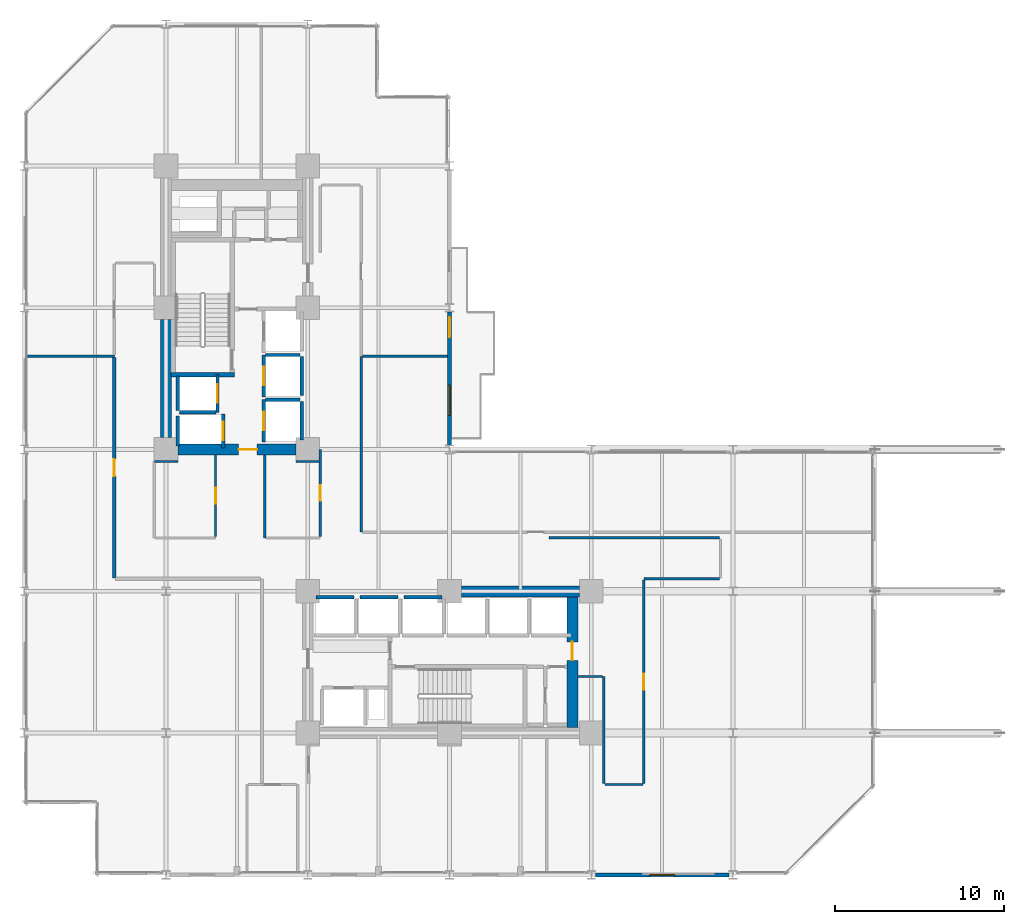
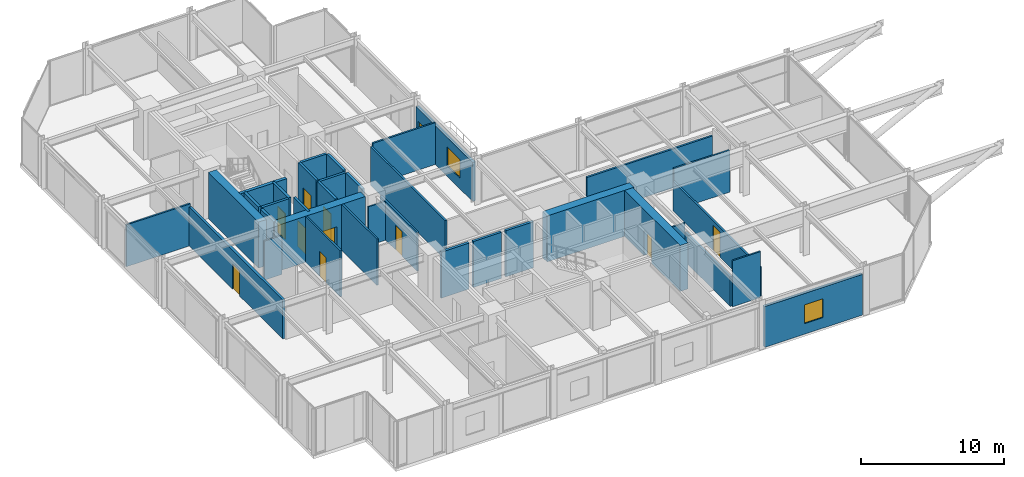
# One storey, part 21 of 25: 36 walls, 11 doors, 2 windows, 13 openings.
"""IFC4 building model written with IfcOpenShell, lengths in metres."""

from ifc_helpers import new_model, si_unit, direction, frame, frame_2d, origin, place, context, subcontext, project, spatial, rectangle, extrude, material, layer, layer_set, type_object, element, fill, save


model = new_model("IFC4")

# Units and contexts
model_context = context("Model", 3, precision=1e-05, world=origin(), true_north=direction((0.0, 1.0)))
body_context = subcontext(model_context, "Body", "Model", "MODEL_VIEW")
ifc_project = project(units=[si_unit("LENGTHUNIT", "METRE"), si_unit("AREAUNIT", "SQUARE_METRE"), si_unit("VOLUMEUNIT", "CUBIC_METRE"), si_unit("PLANEANGLEUNIT", "RADIAN"), si_unit("MASSUNIT", "GRAM", prefix="KILO")], contexts=[model_context])

# Site, building, storey
site_placement = place(None, origin())
site = spatial("IfcSite", under=ifc_project, at=site_placement, CompositionType="ELEMENT")
building_placement = place(site_placement, origin())
building = spatial("IfcBuilding", under=site, at=building_placement, Name="Nerrivon Quay Data Exchange", CompositionType="ELEMENT")
storey_placement = place(building_placement, frame((0.0, 0.0, 58.39990234375)))
storey = spatial("IfcBuildingStorey", under=building, at=storey_placement, Name="L13", CompositionType="ELEMENT", Elevation=58.39990234375)

# Wall, opening, window
ifc_material_1 = material(Name="Architectural terracotta precast concrete N50 (50 MPa)", Category="masonry")
ifc_layer_1 = layer(ifc_material_1, 0.239990234375)
ifc_layer_set_1 = layer_set([ifc_layer_1], Name="Architectural terracotta precast concrete N50 (50 MPa)")
wall_type_1 = type_object("IfcWallType", Name="EW-PREC-240", PredefinedType="STANDARD", material=ifc_layer_set_1)
wall_1_placement = place(storey_placement, frame((41.75, 0.0, 0.0), z_axis=(0.0, 0.0, 1.0), x_axis=(-1.0, 0.0, 0.0)))
wall_1 = element("IfcWall", 1, at=wall_1_placement, inside=storey, type_object=wall_type_1, Name="L13 Podium Precast Spandrel Wall 3", PredefinedType="STANDARD", context=body_context, shape_type="SweptSolid", body=[
    extrude(rectangle(XDim=7.89990234375, YDim=0.239990234375, at=frame_2d((3.949951171875, 0.0))), origin(), (0.0, 0.0, 1.0), 3.47119140625),
])
opening_1_placement = place(wall_1_placement, frame((3.199951171875, 0.0, 0.89990234375)))
opening_1 = element("IfcOpeningElement", 2, at=opening_1_placement, cuts=wall_1, Name="Opening WN4", PredefinedType="OPENING", context=body_context, shape_type="SweptSolid", body=[
    extrude(rectangle(XDim=1.5, YDim=1.60009765625, at=frame_2d((0.75, 0.800048828125))), frame((0.0, 0.1298828125, 0.0), z_axis=(0.0, -1.0, 0.0), x_axis=(1.0, 0.0, 0.0)), (0.0, 0.0, 1.0), 0.260009765625),
])
ifc_material_2 = material(Name="Double-glazed low-E solar control glass", Category="glass")
window_type_1 = type_object("IfcWindowType", Name="WIN-W4-1500x1600", PartitioningType="SINGLE_PANEL", PredefinedType="WINDOW", material=ifc_material_2)
window_1_placement = place(opening_1_placement, origin())
window_1 = element("IfcWindow", 3, at=window_1_placement, inside=storey, type_object=window_type_1, Name="L13 Solar Facade Window 3", OverallHeight=1.60009765625, OverallWidth=1.5, PartitioningType="SINGLE_PANEL", PredefinedType="WINDOW", context=body_context, shape_type="SweptSolid", body=[
    extrude(rectangle(XDim=1.5, YDim=1.60009765625, at=frame_2d((0.75, 0.800048828125))), frame((0.0, 0.030029296875, 0.0), z_axis=(0.0, -1.0, 0.0), x_axis=(1.0, 0.0, 0.0)), (0.0, 0.0, 1.0), 0.06005859375),
])
fill(opening_1, window_1)

# Wall, openings, door, window
wall_2_placement = place(storey_placement, frame((25.199951171875, 33.35009765625, 0.0), z_axis=(0.0, 0.0, 1.0), x_axis=(0.0, -1.0, 0.0)))
wall_2 = element("IfcWall", 4, at=wall_2_placement, inside=storey, type_object=wall_type_1, Name="L13 Terrace Host Wall 27", PredefinedType="STANDARD", context=body_context, shape_type="SweptSolid", body=[
    extrude(rectangle(XDim=7.900146484375, YDim=0.239990234375, at=frame_2d((3.9501953125, 0.0))), origin(), (0.0, 0.0, 1.0), 3.322998046875),
])
opening_2_placement = place(wall_2_placement, frame((0.300048828125, 0.0, 0.0)))
opening_2 = element("IfcOpeningElement", 5, at=opening_2_placement, cuts=wall_2, Name="Opening TD1", PredefinedType="OPENING", context=body_context, shape_type="SweptSolid", body=[
    extrude(rectangle(XDim=1.199951171875, YDim=2.199951171875, at=frame_2d((0.60009765625, 1.10009765625))), frame((0.0, 0.1298828125, 0.0), z_axis=(0.0, -1.0, 0.0), x_axis=(1.0, 0.0, 0.0)), (0.0, 0.0, 1.0), 0.260009765625),
])
opening_3_placement = place(wall_2_placement, frame((4.3291015625, 0.0, 0.89990234375)))
opening_3 = element("IfcOpeningElement", 6, at=opening_3_placement, cuts=wall_2, Name="Opening WN2", PredefinedType="OPENING", context=body_context, shape_type="SweptSolid", body=[
    extrude(rectangle(XDim=1.800048828125, YDim=1.60009765625, at=frame_2d((0.89990234375, 0.800048828125))), frame((0.0, 0.1298828125, 0.0), z_axis=(0.0, -1.0, 0.0), x_axis=(1.0, 0.0, 0.0)), (0.0, 0.0, 1.0), 0.260009765625),
])
door_type_1 = type_object("IfcDoorType", Name="DR-TERR-1200x2200", OperationType="NOTDEFINED", PredefinedType="DOOR", material=ifc_material_2)
door_1_placement = place(opening_2_placement, origin())
door_1 = element("IfcDoor", 7, at=door_1_placement, inside=storey, type_object=door_type_1, Name="L13 Outdoor Terrace Access Door 27", OperationType="SINGLE_SWING_RIGHT", OverallHeight=2.199951171875, OverallWidth=1.199951171875, PredefinedType="DOOR", context=body_context, shape_type="SweptSolid", body=[
    extrude(rectangle(XDim=1.199951171875, YDim=2.199951171875, at=frame_2d((0.60009765625, 1.10009765625))), frame((0.0, 0.02490234375, 0.0), z_axis=(0.0, -1.0, 0.0), x_axis=(1.0, 0.0, 0.0)), (0.0, 0.0, 1.0), 0.050048828125),
])
fill(opening_2, door_1)
window_type_2 = type_object("IfcWindowType", Name="WIN-W2-1800x1600", PartitioningType="SINGLE_PANEL", PredefinedType="WINDOW", material=ifc_material_2)
window_2_placement = place(opening_3_placement, origin())
window_2 = element("IfcWindow", 8, at=window_2_placement, inside=storey, type_object=window_type_2, Name="L13 Terrace Side Window 27", OverallHeight=1.60009765625, OverallWidth=1.800048828125, PartitioningType="SINGLE_PANEL", PredefinedType="WINDOW", context=body_context, shape_type="SweptSolid", body=[
    extrude(rectangle(XDim=1.800048828125, YDim=1.60009765625, at=frame_2d((0.89990234375, 0.800048828125))), frame((0.0, 0.030029296875, 0.0), z_axis=(0.0, -1.0, 0.0), x_axis=(1.0, 0.0, 0.0)), (0.0, 0.0, 1.0), 0.06005859375),
])
fill(opening_3, window_2)

# Wall
ifc_material_3 = material(Name="Concrete N80 (80 MPa)", Category="concrete")
ifc_layer_2 = layer(ifc_material_3, 0.64990234375)
ifc_layer_set_2 = layer_set([ifc_layer_2], Name="Concrete N80 (80 MPa)")
wall_type_2 = type_object("IfcWallType", Name="WALL-CW-850", PredefinedType="SHEAR", material=ifc_layer_set_2)
wall_3_placement = place(storey_placement, frame((8.39990234375, 25.89990234375, 0.0), z_axis=(0.0, 0.0, 1.0), x_axis=(0.0, 1.0, 0.0)))
element("IfcWall", 9, at=wall_3_placement, inside=storey, type_object=wall_type_2, Name="L13 West Split-Core Shear Wall WCW-W1", PredefinedType="SHEAR", context=body_context, shape_type="SweptSolid", body=[
    extrude(rectangle(XDim=7.0, YDim=0.64990234375, at=frame_2d((3.5, 0.0))), origin(), (0.0, 0.0, 1.0), 3.925048828125),
])

# Wall, opening, door
wall_4_placement = place(storey_placement, frame((9.10009765625, 25.199951171875, 0.0), z_axis=(0.0, 0.0, 1.0), x_axis=(1.0, 0.0, 0.0)))
wall_4 = element("IfcWall", 10, at=wall_4_placement, inside=storey, type_object=wall_type_2, Name="L13 West Split-Core Shear Wall WCW-S1", PredefinedType="SHEAR", context=body_context, shape_type="SweptSolid", body=[
    extrude(rectangle(XDim=7.0, YDim=0.64990234375, at=frame_2d((3.5, 0.0))), origin(), (0.0, 0.0, 1.0), 3.925048828125),
])
opening_4_placement = place(wall_4_placement, frame((3.60009765625, 0.0, 0.0)))
opening_4 = element("IfcOpeningElement", 11, at=opening_4_placement, cuts=wall_4, Name="Opening FD-120", PredefinedType="OPENING", context=body_context, shape_type="SweptSolid", body=[
    extrude(rectangle(XDim=1.10009765625, YDim=2.14990234375, at=frame_2d((0.550048828125, 1.074951171875))), frame((0.0, 0.3349609375, 0.0), z_axis=(0.0, -1.0, 0.0), x_axis=(1.0, 0.0, 0.0)), (0.0, 0.0, 1.0), 0.669921875),
])
ifc_material_4 = material(Name="Powder-coated galvanized steel sheet", Category="steel")
door_type_2 = type_object("IfcDoorType", Name="DR-FD120-1100", OperationType="NOTDEFINED", PredefinedType="DOOR", material=ifc_material_4)
door_2_placement = place(opening_4_placement, origin())
door_2 = element("IfcDoor", 12, at=door_2_placement, inside=storey, type_object=door_type_2, Name="L13 West Core Lobby Fire Door", OperationType="SINGLE_SWING_RIGHT", OverallHeight=2.14990234375, OverallWidth=1.10009765625, PredefinedType="DOOR", context=body_context, shape_type="SweptSolid", body=[
    extrude(rectangle(XDim=1.10009765625, YDim=2.14990234375, at=frame_2d((0.550048828125, 1.074951171875))), frame((0.0, 0.02490234375, 0.0), z_axis=(0.0, -1.0, 0.0), x_axis=(1.0, 0.0, 0.0)), (0.0, 0.0, 1.0), 0.050048828125),
])
fill(opening_4, door_2)

wall_5_placement = place(storey_placement, frame((32.47509765625, 8.72509765625, 0.0), z_axis=(0.0, 0.0, 1.0), x_axis=(0.0, 1.0, 0.0)))
wall_5 = element("IfcWall", 13, at=wall_5_placement, inside=storey, type_object=wall_type_2, Name="L13 East Split-Core Shear Wall ECW-E1", PredefinedType="SHEAR", context=body_context, shape_type="SweptSolid", body=[
    extrude(rectangle(XDim=7.75, YDim=0.64990234375, at=frame_2d((3.875, 0.0))), origin(), (0.0, 0.0, 1.0), 3.925048828125),
])
opening_5_placement = place(wall_5_placement, frame((3.97509765625, 0.0, 0.0)))
opening_5 = element("IfcOpeningElement", 14, at=opening_5_placement, cuts=wall_5, Name="Opening FD-120", PredefinedType="OPENING", context=body_context, shape_type="SweptSolid", body=[
    extrude(rectangle(XDim=1.10009765625, YDim=2.14990234375, at=frame_2d((0.550048828125, 1.074951171875))), frame((0.0, 0.3349609375, 0.0), z_axis=(0.0, -1.0, 0.0), x_axis=(1.0, 0.0, 0.0)), (0.0, 0.0, 1.0), 0.669921875),
])
door_3_placement = place(opening_5_placement, origin())
door_3 = element("IfcDoor", 15, at=door_3_placement, inside=storey, type_object=door_type_2, Name="L13 East Core Lobby Fire Door", OperationType="SINGLE_SWING_LEFT", OverallHeight=2.14990234375, OverallWidth=1.10009765625, PredefinedType="DOOR", context=body_context, shape_type="SweptSolid", body=[
    extrude(rectangle(XDim=1.10009765625, YDim=2.14990234375, at=frame_2d((0.550048828125, 1.074951171875))), frame((0.0, 0.02490234375, 0.0), z_axis=(0.0, -1.0, 0.0), x_axis=(1.0, 0.0, 0.0)), (0.0, 0.0, 1.0), 0.050048828125),
])
fill(opening_5, door_3)

# Wall
wall_6_placement = place(storey_placement, frame((25.89990234375, 16.800048828125, 0.0), z_axis=(0.0, 0.0, 1.0), x_axis=(1.0, 0.0, 0.0)))
element("IfcWall", 16, at=wall_6_placement, inside=storey, type_object=wall_type_2, Name="L13 East Split-Core Shear Wall ECW-N1", PredefinedType="SHEAR", context=body_context, shape_type="SweptSolid", body=[
    extrude(rectangle(XDim=7.0, YDim=0.64990234375, at=frame_2d((3.5, 0.0))), origin(), (0.0, 0.0, 1.0), 3.925048828125),
])

# Wall, opening, door
ifc_material_5 = material(Name="Gypsum plasterboard on cold-formed framing", Category="gypsum")
ifc_layer_3 = layer(ifc_material_5, 0.199951171875)
ifc_layer_set_3 = layer_set([ifc_layer_3], Name="Gypsum plasterboard on cold-formed framing")
wall_type_3 = type_object("IfcWallType", Name="WALL-FW-200", PredefinedType="PARTITIONING", material=ifc_layer_set_3)
wall_7_placement = place(storey_placement, frame((11.449951171875, 27.39990234375, 0.0), z_axis=(0.0, 0.0, 1.0), x_axis=(0.0, 1.0, 0.0)))
wall_7 = element("IfcWall", 17, at=wall_7_placement, inside=storey, type_object=wall_type_3, Name="L13 Lift Front Wall FFL-1", PredefinedType="PARTITIONING", context=body_context, shape_type="SweptSolid", body=[
    extrude(rectangle(XDim=2.25, YDim=0.199951171875, at=frame_2d((1.125, 0.0))), origin(), (0.0, 0.0, 1.0), 3.925048828125),
])
opening_6_placement = place(wall_7_placement, frame((0.574951171875, 0.0, 0.0)))
opening_6 = element("IfcOpeningElement", 18, at=opening_6_placement, cuts=wall_7, Name="Opening LD-120", PredefinedType="OPENING", context=body_context, shape_type="SweptSolid", body=[
    extrude(rectangle(XDim=1.10009765625, YDim=2.199951171875, at=frame_2d((0.550048828125, 1.10009765625))), frame((0.0, 0.10986328125, 0.0), z_axis=(0.0, -1.0, 0.0), x_axis=(1.0, 0.0, 0.0)), (0.0, 0.0, 1.0), 0.219970703125),
])
door_type_3 = type_object("IfcDoorType", Name="DR-LIFT-LD120", OperationType="DOUBLE_DOOR_SLIDING", PredefinedType="DOOR", material=ifc_material_4)
door_4_placement = place(opening_6_placement, origin())
door_4 = element("IfcDoor", 19, at=door_4_placement, inside=storey, type_object=door_type_3, Name="L13 Lift Landing Sliding Door FFL-1", OperationType="DOUBLE_DOOR_SLIDING", OverallHeight=2.199951171875, OverallWidth=1.10009765625, PredefinedType="DOOR", context=body_context, shape_type="SweptSolid", body=[
    extrude(rectangle(XDim=1.10009765625, YDim=2.199951171875, at=frame_2d((0.550048828125, 1.10009765625))), frame((0.0, 0.02490234375, 0.0), z_axis=(0.0, -1.0, 0.0), x_axis=(1.0, 0.0, 0.0)), (0.0, 0.0, 1.0), 0.050048828125),
])
fill(opening_6, door_4)

# Walls
wall_8_placement = place(storey_placement, frame((9.10009765625, 27.5, 0.0), z_axis=(0.0, 0.0, 1.0), x_axis=(0.0, 1.0, 0.0)))
element("IfcWall", 20, at=wall_8_placement, inside=storey, type_object=wall_type_3, Name="L13 Lift Shaft Wall FFL-1 WEST", PredefinedType="PARTITIONING", context=body_context, shape_type="SweptSolid", body=[
    extrude(rectangle(XDim=2.050048828125, YDim=0.199951171875, at=frame_2d((1.02490234375, 0.0))), origin(), (0.0, 0.0, 1.0), 3.925048828125),
])
wall_9_placement = place(storey_placement, frame((9.199951171875, 27.39990234375, 0.0), z_axis=(0.0, 0.0, 1.0), x_axis=(1.0, 0.0, 0.0)))
element("IfcWall", 21, at=wall_9_placement, inside=storey, type_object=wall_type_3, Name="L13 Lift Shaft Wall FFL-1 SOUTH", PredefinedType="PARTITIONING", context=body_context, shape_type="SweptSolid", body=[
    extrude(rectangle(XDim=2.150146484375, YDim=0.199951171875, at=frame_2d((1.0751953125, 0.0))), origin(), (0.0, 0.0, 1.0), 3.925048828125),
])

# Wall, opening, door
wall_10_placement = place(storey_placement, frame((11.800048828125, 25.300048828125, 0.0), z_axis=(0.0, 0.0, 1.0), x_axis=(0.0, 1.0, 0.0)))
wall_10 = element("IfcWall", 22, at=wall_10_placement, inside=storey, type_object=wall_type_3, Name="L13 Lift Front Wall SVL-1", PredefinedType="PARTITIONING", context=body_context, shape_type="SweptSolid", body=[
    extrude(rectangle(XDim=2.0, YDim=0.199951171875, at=frame_2d((1.0, 0.0))), origin(), (0.0, 0.0, 1.0), 3.925048828125),
])
opening_7_placement = place(wall_10_placement, frame((0.449951171875, 0.0, 0.0)))
opening_7 = element("IfcOpeningElement", 23, at=opening_7_placement, cuts=wall_10, Name="Opening LD-120", PredefinedType="OPENING", context=body_context, shape_type="SweptSolid", body=[
    extrude(rectangle(XDim=1.10009765625, YDim=2.199951171875, at=frame_2d((0.550048828125, 1.10009765625))), frame((0.0, 0.10986328125, 0.0), z_axis=(0.0, -1.0, 0.0), x_axis=(1.0, 0.0, 0.0)), (0.0, 0.0, 1.0), 0.219970703125),
])
door_5_placement = place(opening_7_placement, origin())
door_5 = element("IfcDoor", 24, at=door_5_placement, inside=storey, type_object=door_type_3, Name="L13 Lift Landing Sliding Door SVL-1", OperationType="DOUBLE_DOOR_SLIDING", OverallHeight=2.199951171875, OverallWidth=1.10009765625, PredefinedType="DOOR", context=body_context, shape_type="SweptSolid", body=[
    extrude(rectangle(XDim=1.10009765625, YDim=2.199951171875, at=frame_2d((0.550048828125, 1.10009765625))), frame((0.0, 0.02490234375, 0.0), z_axis=(0.0, -1.0, 0.0), x_axis=(1.0, 0.0, 0.0)), (0.0, 0.0, 1.0), 0.050048828125),
])
fill(opening_7, door_5)

# Wall
wall_11_placement = place(storey_placement, frame((9.10009765625, 25.39990234375, 0.0), z_axis=(0.0, 0.0, 1.0), x_axis=(0.0, 1.0, 0.0)))
element("IfcWall", 25, at=wall_11_placement, inside=storey, type_object=wall_type_3, Name="L13 Lift Shaft Wall SVL-1 WEST", PredefinedType="PARTITIONING", context=body_context, shape_type="SweptSolid", body=[
    extrude(rectangle(XDim=1.800048828125, YDim=0.199951171875, at=frame_2d((0.89990234375, 0.0))), origin(), (0.0, 0.0, 1.0), 3.925048828125),
])

# Wall, opening, door
wall_12_placement = place(storey_placement, frame((14.199951171875, 25.64990234375, 0.0), z_axis=(0.0, 0.0, 1.0), x_axis=(0.0, 1.0, 0.0)))
wall_12 = element("IfcWall", 26, at=wall_12_placement, inside=storey, type_object=wall_type_3, Name="L13 Lift Front Wall PL1", PredefinedType="PARTITIONING", context=body_context, shape_type="SweptSolid", body=[
    extrude(rectangle(XDim=2.5, YDim=0.199951171875, at=frame_2d((1.25, 0.0))), origin(), (0.0, 0.0, 1.0), 3.925048828125),
])
opening_8_placement = place(wall_12_placement, frame((0.699951171875, 0.0, 0.0)))
opening_8 = element("IfcOpeningElement", 27, at=opening_8_placement, cuts=wall_12, Name="Opening LD-120", PredefinedType="OPENING", context=body_context, shape_type="SweptSolid", body=[
    extrude(rectangle(XDim=1.10009765625, YDim=2.199951171875, at=frame_2d((0.550048828125, 1.10009765625))), frame((0.0, 0.10986328125, 0.0), z_axis=(0.0, -1.0, 0.0), x_axis=(1.0, 0.0, 0.0)), (0.0, 0.0, 1.0), 0.219970703125),
])
door_6_placement = place(opening_8_placement, origin())
door_6 = element("IfcDoor", 28, at=door_6_placement, inside=storey, type_object=door_type_3, Name="L13 Lift Landing Sliding Door PL1", OperationType="DOUBLE_DOOR_SLIDING", OverallHeight=2.199951171875, OverallWidth=1.10009765625, PredefinedType="DOOR", context=body_context, shape_type="SweptSolid", body=[
    extrude(rectangle(XDim=1.10009765625, YDim=2.199951171875, at=frame_2d((0.550048828125, 1.10009765625))), frame((0.0, 0.02490234375, 0.0), z_axis=(0.0, -1.0, 0.0), x_axis=(1.0, 0.0, 0.0)), (0.0, 0.0, 1.0), 0.050048828125),
])
fill(opening_8, door_6)

# Walls
wall_13_placement = place(storey_placement, frame((16.449951171875, 25.75, 0.0), z_axis=(0.0, 0.0, 1.0), x_axis=(0.0, 1.0, 0.0)))
element("IfcWall", 29, at=wall_13_placement, inside=storey, type_object=wall_type_3, Name="L13 Lift Shaft Wall PL1 EAST", PredefinedType="PARTITIONING", context=body_context, shape_type="SweptSolid", body=[
    extrude(rectangle(XDim=2.300048828125, YDim=0.199951171875, at=frame_2d((1.14990234375, 0.0))), origin(), (0.0, 0.0, 1.0), 3.925048828125),
])
wall_14_placement = place(storey_placement, frame((14.300048828125, 28.14990234375, 0.0), z_axis=(0.0, 0.0, 1.0), x_axis=(1.0, 0.0, 0.0)))
element("IfcWall", 30, at=wall_14_placement, inside=storey, type_object=wall_type_3, Name="L13 Lift Shaft Wall PL1 NORTH", PredefinedType="PARTITIONING", context=body_context, shape_type="SweptSolid", body=[
    extrude(rectangle(XDim=2.050048828125, YDim=0.199951171875, at=frame_2d((1.02490234375, 0.0))), origin(), (0.0, 0.0, 1.0), 3.925048828125),
])

# Wall, opening, door
wall_15_placement = place(storey_placement, frame((14.199951171875, 28.300048828125, 0.0), z_axis=(0.0, 0.0, 1.0), x_axis=(0.0, 1.0, 0.0)))
wall_15 = element("IfcWall", 31, at=wall_15_placement, inside=storey, type_object=wall_type_3, Name="L13 Lift Front Wall PL2", PredefinedType="PARTITIONING", context=body_context, shape_type="SweptSolid", body=[
    extrude(rectangle(XDim=2.5, YDim=0.199951171875, at=frame_2d((1.25, 0.0))), origin(), (0.0, 0.0, 1.0), 3.925048828125),
])
opening_9_placement = place(wall_15_placement, frame((0.699951171875, 0.0, 0.0)))
opening_9 = element("IfcOpeningElement", 32, at=opening_9_placement, cuts=wall_15, Name="Opening LD-120", PredefinedType="OPENING", context=body_context, shape_type="SweptSolid", body=[
    extrude(rectangle(XDim=1.10009765625, YDim=2.199951171875, at=frame_2d((0.550048828125, 1.10009765625))), frame((0.0, 0.10986328125, 0.0), z_axis=(0.0, -1.0, 0.0), x_axis=(1.0, 0.0, 0.0)), (0.0, 0.0, 1.0), 0.219970703125),
])
door_7_placement = place(opening_9_placement, origin())
door_7 = element("IfcDoor", 33, at=door_7_placement, inside=storey, type_object=door_type_3, Name="L13 Lift Landing Sliding Door PL2", OperationType="DOUBLE_DOOR_SLIDING", OverallHeight=2.199951171875, OverallWidth=1.10009765625, PredefinedType="DOOR", context=body_context, shape_type="SweptSolid", body=[
    extrude(rectangle(XDim=1.10009765625, YDim=2.199951171875, at=frame_2d((0.550048828125, 1.10009765625))), frame((0.0, 0.02490234375, 0.0), z_axis=(0.0, -1.0, 0.0), x_axis=(1.0, 0.0, 0.0)), (0.0, 0.0, 1.0), 0.050048828125),
])
fill(opening_9, door_7)

# Walls
wall_16_placement = place(storey_placement, frame((16.449951171875, 28.39990234375, 0.0), z_axis=(0.0, 0.0, 1.0), x_axis=(0.0, 1.0, 0.0)))
element("IfcWall", 34, at=wall_16_placement, inside=storey, type_object=wall_type_3, Name="L13 Lift Shaft Wall PL2 EAST", PredefinedType="PARTITIONING", context=body_context, shape_type="SweptSolid", body=[
    extrude(rectangle(XDim=2.300048828125, YDim=0.199951171875, at=frame_2d((1.14990234375, 0.0))), origin(), (0.0, 0.0, 1.0), 3.925048828125),
])
wall_17_placement = place(storey_placement, frame((14.300048828125, 30.800048828125, 0.0), z_axis=(0.0, 0.0, 1.0), x_axis=(1.0, 0.0, 0.0)))
element("IfcWall", 35, at=wall_17_placement, inside=storey, type_object=wall_type_3, Name="L13 Lift Shaft Wall PL2 NORTH", PredefinedType="PARTITIONING", context=body_context, shape_type="SweptSolid", body=[
    extrude(rectangle(XDim=2.050048828125, YDim=0.199951171875, at=frame_2d((1.02490234375, 0.0))), origin(), (0.0, 0.0, 1.0), 3.925048828125),
])
for number, where, z_axis, x_axis, name in (
    (36, (17.300048828125, 16.449951171875, 0.0), (0.0, 0.0, 1.0), (1.0, 0.0, 0.0), "L13 Lift Shaft Wall PL4 NORTH"),
    (37, (19.89990234375, 16.449951171875, 0.0), (0.0, 0.0, 1.0), (1.0, 0.0, 0.0), "L13 Lift Shaft Wall PL5 NORTH"),
    (38, (22.5, 16.449951171875, 0.0), (0.0, 0.0, 1.0), (1.0, 0.0, 0.0), "L13 Lift Shaft Wall PL6 NORTH"),
):
    element("IfcWall", number, at=place(storey_placement, frame(where, z_axis=z_axis, x_axis=x_axis)), inside=storey, type_object=wall_type_3, Name=name, PredefinedType="PARTITIONING", context=body_context, shape_type="SweptSolid", body=[
        extrude(rectangle(XDim=2.25, YDim=0.199951171875, at=frame_2d((1.125, 0.0))), origin(), (0.0, 0.0, 1.0), 3.925048828125),
    ])

# Wall, opening, door
wall_18_placement = place(storey_placement, frame((5.340087890625, 17.60009765625, 0.0), z_axis=(0.0, 0.0, 1.0), x_axis=(0.0, 1.0, 0.0)))
wall_18 = element("IfcWall", 39, at=wall_18_placement, inside=storey, type_object=wall_type_3, Name="L13 Partition Colocation Data Workspace 1", PredefinedType="PARTITIONING", context=body_context, shape_type="SweptSolid", body=[
    extrude(rectangle(XDim=13.05029296875, YDim=0.199951171875, at=frame_2d((6.525146484375, 0.0))), origin(), (0.0, 0.0, 1.0), 3.31298828125),
])
opening_10_placement = place(wall_18_placement, frame((6.025146484375, 0.0, 0.0)))
opening_10 = element("IfcOpeningElement", 40, at=opening_10_placement, cuts=wall_18, Name="Opening FD-60", PredefinedType="OPENING", context=body_context, shape_type="SweptSolid", body=[
    extrude(rectangle(XDim=1.0, YDim=2.14990234375, at=frame_2d((0.5, 1.074951171875))), frame((0.0, 0.10986328125, 0.0), z_axis=(0.0, -1.0, 0.0), x_axis=(1.0, 0.0, 0.0)), (0.0, 0.0, 1.0), 0.219970703125),
])
ifc_material_6 = material(Name="Engineered hardwood timber", Category="wood")
door_type_4 = type_object("IfcDoorType", Name="DR-FD60-1000", OperationType="NOTDEFINED", PredefinedType="DOOR", material=ifc_material_6)
door_8_placement = place(opening_10_placement, origin())
door_8 = element("IfcDoor", 41, at=door_8_placement, inside=storey, type_object=door_type_4, Name="L13 Door Colocation Data Workspace 1", OperationType="SINGLE_SWING_RIGHT", OverallHeight=2.14990234375, OverallWidth=1.0, PredefinedType="DOOR", context=body_context, shape_type="SweptSolid", body=[
    extrude(rectangle(XDim=1.0, YDim=2.14990234375, at=frame_2d((0.5, 1.074951171875))), frame((0.0, 0.02490234375, 0.0), z_axis=(0.0, -1.0, 0.0), x_axis=(1.0, 0.0, 0.0)), (0.0, 0.0, 1.0), 0.050048828125),
])
fill(opening_10, door_8)

# Walls
ifc_layer_4 = layer(ifc_material_5, 0.1201171875)
ifc_layer_set_4 = layer_set([ifc_layer_4], Name="Gypsum plasterboard on cold-formed framing")
wall_type_4 = type_object("IfcWallType", Name="WALL-PT-120", PredefinedType="PARTITIONING", material=ifc_layer_set_4)
wall_19_placement = place(storey_placement, frame((17.468505859375, 24.48046875, 0.0), z_axis=(0.0, 0.0, 1.0), x_axis=(-0.99999993688, 0.000355302873, 0.0)))
element("IfcWall", 42, at=wall_19_placement, inside=storey, type_object=wall_type_4, Name="L13 Partition Public Washrooms", PredefinedType="PARTITIONING", context=body_context, shape_type="SweptSolid", body=[
    extrude(rectangle(XDim=1.374267578125, YDim=0.1201171875, at=frame_2d((0.68701171875, 0.0))), origin(), (0.0, 0.0, 1.0), 3.322998046875),
])
wall_20_placement = place(storey_placement, frame((9.105712890625, 24.48095703125, 0.0), z_axis=(0.0, 0.0, 1.0), x_axis=(-0.999999755233, -0.000699667487, 0.0)))
element("IfcWall", 43, at=wall_20_placement, inside=storey, type_object=wall_type_4, Name="L13 Partition Staff Pantry", PredefinedType="PARTITIONING", context=body_context, shape_type="SweptSolid", body=[
    extrude(rectangle(XDim=1.395751953125, YDim=0.1201171875, at=frame_2d((0.69775390625, 0.0))), origin(), (0.0, 0.0, 1.0), 3.322998046875),
])
wall_21_placement = place(storey_placement, frame((36.64990234375, 5.340087890625, 0.0), z_axis=(0.0, 0.0, 1.0), x_axis=(-1.0, 0.0, 0.0)))
element("IfcWall", 44, at=wall_21_placement, inside=storey, type_object=wall_type_4, Name="L13 Partition Optical Engineering Studios Workspace", PredefinedType="PARTITIONING", context=body_context, shape_type="SweptSolid", body=[
    extrude(rectangle(XDim=2.25, YDim=0.1201171875, at=frame_2d((1.125, 0.0))), origin(), (0.0, 0.0, 1.0), 3.925048828125),
])
wall_22_placement = place(storey_placement, frame((34.260986328125, 11.739990234375, 0.0), z_axis=(0.0, 0.0, 1.0), x_axis=(-1.0, 0.0, 0.0)))
element("IfcWall", 45, at=wall_22_placement, inside=storey, type_object=wall_type_4, Name="L13 Partition Optical Engineering Studios Workspace", PredefinedType="PARTITIONING", context=body_context, shape_type="SweptSolid", body=[
    extrude(rectangle(XDim=1.45703125, YDim=0.1201171875, at=frame_2d((0.728515625, 0.0))), origin(), (0.0, 0.0, 1.0), 3.322998046875),
])
ifc_layer_5 = layer(ifc_material_5, 0.135009765625)
ifc_layer_set_5 = layer_set([ifc_layer_5], Name="Gypsum plasterboard on cold-formed framing")
wall_type_5 = type_object("IfcWallType", Name="WALL-PT-135", PredefinedType="PARTITIONING", material=ifc_layer_set_5)
wall_23_placement = place(storey_placement, frame((14.260009765625, 24.87109375, 0.0), z_axis=(0.0, 0.0, 1.0), x_axis=(0.0, -1.0, 0.0)))
element("IfcWall", 46, at=wall_23_placement, inside=storey, type_object=wall_type_5, Name="L13 Partition Public Washrooms", PredefinedType="PARTITIONING", context=body_context, shape_type="SweptSolid", body=[
    extrude(rectangle(XDim=4.9111328125, YDim=0.135009765625, at=frame_2d((2.45556640625, 0.0))), origin(), (0.0, 0.0, 1.0), 3.925048828125),
])

# Wall, opening, door
wall_24_placement = place(storey_placement, frame((17.5400390625, 20.031494140625, 0.0), z_axis=(0.0, 0.0, 1.0), x_axis=(0.0, 1.0, 0.0)))
wall_24 = element("IfcWall", 47, at=wall_24_placement, inside=storey, type_object=wall_type_5, Name="L13 Partition Public Washrooms", PredefinedType="PARTITIONING", context=body_context, shape_type="SweptSolid", body=[
    extrude(rectangle(XDim=5.16845703125, YDim=0.135009765625, at=frame_2d((2.584228515625, 0.0))), origin(), (0.0, 0.0, 1.0), 3.31298828125),
])
opening_11_placement = place(wall_24_placement, frame((2.124267578125, 0.0, 0.0)))
opening_11 = element("IfcOpeningElement", 48, at=opening_11_placement, cuts=wall_24, Name="Opening D-WC", PredefinedType="OPENING", context=body_context, shape_type="SweptSolid", body=[
    extrude(rectangle(XDim=0.919921875, YDim=2.10009765625, at=frame_2d((0.4599609375, 1.050048828125))), frame((0.0, 0.077392578125, 0.0), z_axis=(0.0, -1.0, 0.0), x_axis=(1.0, 0.0, 0.0)), (0.0, 0.0, 1.0), 0.155029296875),
])
door_type_5 = type_object("IfcDoorType", Name="DR-WC-920", OperationType="NOTDEFINED", PredefinedType="DOOR", material=ifc_material_6)
door_9_placement = place(opening_11_placement, origin())
door_9 = element("IfcDoor", 49, at=door_9_placement, inside=storey, type_object=door_type_5, Name="L13 Door Public Washrooms", OperationType="SINGLE_SWING_RIGHT", OverallHeight=2.10009765625, OverallWidth=0.919921875, PredefinedType="DOOR", context=body_context, shape_type="SweptSolid", body=[
    extrude(rectangle(XDim=0.919921875, YDim=2.10009765625, at=frame_2d((0.4599609375, 1.050048828125))), frame((0.0, 0.02490234375, 0.0), z_axis=(0.0, -1.0, 0.0), x_axis=(1.0, 0.0, 0.0)), (0.0, 0.0, 1.0), 0.050048828125),
])
fill(opening_11, door_9)

wall_25_placement = place(storey_placement, frame((11.340087890625, 20.031494140625, 0.0), z_axis=(0.0, 0.0, 1.0), x_axis=(0.0, 1.0, 0.0)))
wall_25 = element("IfcWall", 50, at=wall_25_placement, inside=storey, type_object=wall_type_5, Name="L13 Partition Staff Pantry", PredefinedType="PARTITIONING", context=body_context, shape_type="SweptSolid", body=[
    extrude(rectangle(XDim=4.839599609375, YDim=0.135009765625, at=frame_2d((2.419921875, 0.0))), origin(), (0.0, 0.0, 1.0), 3.925048828125),
])
opening_12_placement = place(wall_25_placement, frame((1.944580078125, 0.0, 0.0)))
opening_12 = element("IfcOpeningElement", 51, at=opening_12_placement, cuts=wall_25, Name="Opening D-01", PredefinedType="OPENING", context=body_context, shape_type="SweptSolid", body=[
    extrude(rectangle(XDim=0.949951171875, YDim=2.14990234375, at=frame_2d((0.47509765625, 1.074951171875))), frame((0.0, 0.077392578125, 0.0), z_axis=(0.0, -1.0, 0.0), x_axis=(1.0, 0.0, 0.0)), (0.0, 0.0, 1.0), 0.155029296875),
])
door_type_6 = type_object("IfcDoorType", Name="DR-INT-950", OperationType="NOTDEFINED", PredefinedType="DOOR", material=ifc_material_6)
door_10_placement = place(opening_12_placement, origin())
door_10 = element("IfcDoor", 52, at=door_10_placement, inside=storey, type_object=door_type_6, Name="L13 Door Staff Pantry", OperationType="SINGLE_SWING_LEFT", OverallHeight=2.14990234375, OverallWidth=0.949951171875, PredefinedType="DOOR", context=body_context, shape_type="SweptSolid", body=[
    extrude(rectangle(XDim=0.949951171875, YDim=2.14990234375, at=frame_2d((0.47509765625, 1.074951171875))), frame((0.0, 0.02490234375, 0.0), z_axis=(0.0, -1.0, 0.0), x_axis=(1.0, 0.0, 0.0)), (0.0, 0.0, 1.0), 0.050048828125),
])
fill(opening_12, door_10)

# Walls
wall_26_placement = place(storey_placement, frame((20.0390625, 30.721923828125, 0.0), z_axis=(0.0, 0.0, 1.0), x_axis=(1.0, 0.0, 0.0)))
element("IfcWall", 53, at=wall_26_placement, inside=storey, type_object=wall_type_5, Name="L13 Partition Staff Bistro", PredefinedType="PARTITIONING", context=body_context, shape_type="SweptSolid", body=[
    extrude(rectangle(XDim=5.036865234375, YDim=0.135009765625, at=frame_2d((2.5185546875, 0.0))), origin(), (0.0, 0.0, 1.0), 3.566162109375),
])
wall_27_placement = place(storey_placement, frame((0.1689453125, 30.721923828125, 0.0), z_axis=(0.0, 0.0, 1.0), x_axis=(1.0, 0.0, 0.0)))
element("IfcWall", 54, at=wall_27_placement, inside=storey, type_object=wall_type_5, Name="L13 Partition Cloud Compute Workspace 1", PredefinedType="PARTITIONING", context=body_context, shape_type="SweptSolid", body=[
    extrude(rectangle(XDim=5.171142578125, YDim=0.135009765625, at=frame_2d((2.58544921875, 0.0))), origin(), (0.0, 0.0, 1.0), 3.566162109375),
])
wall_28_placement = place(storey_placement, frame((41.199951171875, 17.5400390625, 0.0), z_axis=(0.0, 0.0, 1.0), x_axis=(-1.0, 0.0, 0.0)))
element("IfcWall", 55, at=wall_28_placement, inside=storey, type_object=wall_type_5, Name="L13 Partition Optical Engineering Studios Workspace", PredefinedType="PARTITIONING", context=body_context, shape_type="SweptSolid", body=[
    extrude(rectangle(XDim=4.489990234375, YDim=0.135009765625, at=frame_2d((2.2451171875, 0.0))), origin(), (0.0, 0.0, 1.0), 3.566162109375),
])
ifc_layer_6 = layer(ifc_material_5, 0.14990234375)
ifc_layer_set_6 = layer_set([ifc_layer_6], Name="Gypsum plasterboard on cold-formed framing")
wall_type_6 = type_object("IfcWallType", Name="WALL-PT-150", PredefinedType="PARTITIONING", material=ifc_layer_set_6)
wall_29_placement = place(storey_placement, frame((19.9599609375, 30.701904296875, 0.0), z_axis=(0.0, 0.0, 1.0), x_axis=(0.0, -1.0, 0.0)))
element("IfcWall", 56, at=wall_29_placement, inside=storey, type_object=wall_type_6, Name="L13 Partition Technical Library", PredefinedType="PARTITIONING", context=body_context, shape_type="SweptSolid", body=[
    extrude(rectangle(XDim=10.39208984375, YDim=0.14990234375, at=frame_2d((5.196044921875, 0.0))), origin(), (0.0, 0.0, 1.0), 3.31298828125),
])
wall_30_placement = place(storey_placement, frame((31.094482421875, 19.959716796875, 0.0), z_axis=(0.0, 0.0, 1.0), x_axis=(1.0, 0.0, 0.0)))
element("IfcWall", 57, at=wall_30_placement, inside=storey, type_object=wall_type_6, Name="L13 Partition Optical Engineering Studios Workspace", PredefinedType="PARTITIONING", context=body_context, shape_type="SweptSolid", body=[
    extrude(rectangle(XDim=10.111328125, YDim=0.14990234375, at=frame_2d((5.0556640625, 0.0))), origin(), (0.0, 0.0, 1.0), 3.322998046875),
])

# Wall, opening, door
wall_31_placement = place(storey_placement, frame((36.7099609375, 17.468505859375, 0.0), z_axis=(0.0, 0.0, 1.0), x_axis=(0.0, -1.0, 0.0)))
wall_31 = element("IfcWall", 58, at=wall_31_placement, inside=storey, type_object=wall_type_6, Name="L13 Partition Optical Engineering Studios Workspace", PredefinedType="PARTITIONING", context=body_context, shape_type="SweptSolid", body=[
    extrude(rectangle(XDim=12.068603515625, YDim=0.14990234375, at=frame_2d((6.0341796875, 0.0))), origin(), (0.0, 0.0, 1.0), 2.525146484375),
])
opening_13_placement = place(wall_31_placement, frame((5.55908203125, 0.0, 0.0)))
opening_13 = element("IfcOpeningElement", 59, at=opening_13_placement, cuts=wall_31, Name="Opening D-01", PredefinedType="OPENING", context=body_context, shape_type="SweptSolid", body=[
    extrude(rectangle(XDim=0.949951171875, YDim=2.14990234375, at=frame_2d((0.47509765625, 1.074951171875))), frame((0.0, 0.0849609375, 0.0), z_axis=(0.0, -1.0, 0.0), x_axis=(1.0, 0.0, 0.0)), (0.0, 0.0, 1.0), 0.169921875),
])
door_11_placement = place(opening_13_placement, origin())
door_11 = element("IfcDoor", 60, at=door_11_placement, inside=storey, type_object=door_type_6, Name="L13 Door Optical Engineering Studios Workspace", OperationType="SINGLE_SWING_LEFT", OverallHeight=2.14990234375, OverallWidth=0.949951171875, PredefinedType="DOOR", context=body_context, shape_type="SweptSolid", body=[
    extrude(rectangle(XDim=0.949951171875, YDim=2.14990234375, at=frame_2d((0.47509765625, 1.074951171875))), frame((0.0, 0.02490234375, 0.0), z_axis=(0.0, -1.0, 0.0), x_axis=(1.0, 0.0, 0.0)), (0.0, 0.0, 1.0), 0.050048828125),
])
fill(opening_13, door_11)

# Walls
wall_32_placement = place(storey_placement, frame((34.340087890625, 5.39990234375, 0.0), z_axis=(0.0, 0.0, 1.0), x_axis=(0.0, 1.0, 0.0)))
element("IfcWall", 61, at=wall_32_placement, inside=storey, type_object=wall_type_6, Name="L13 Partition Optical Engineering Studios Workspace", PredefinedType="PARTITIONING", context=body_context, shape_type="SweptSolid", body=[
    extrude(rectangle(XDim=6.340087890625, YDim=0.14990234375, at=frame_2d((3.169921875, 0.0))), origin(), (0.0, 0.0, 1.0), 2.525146484375),
])
ifc_material_7 = material(Name="Concrete N50 (50 MPa)", Category="concrete")
ifc_layer_7 = layer(ifc_material_7, 0.25)
ifc_layer_set_7 = layer_set([ifc_layer_7], Name="Concrete N50 (50 MPa)")
wall_type_7 = type_object("IfcWallType", Name="WALL-SW-250", PredefinedType="SHEAR", material=ifc_layer_set_7)
wall_33_placement = place(storey_placement, frame((12.449951171875, 29.625, 0.0), z_axis=(0.0, 0.0, 1.0), x_axis=(-1.0, 0.0, 0.0)))
element("IfcWall", 62, at=wall_33_placement, inside=storey, type_object=wall_type_7, Name="L13 ST01 Structural Stair Core Wall NEAR", PredefinedType="SHEAR", context=body_context, shape_type="SweptSolid", body=[
    extrude(rectangle(XDim=3.75, YDim=0.25, at=frame_2d((1.875, 0.0))), origin(), (0.0, 0.0, 1.0), 3.925048828125),
])

save(model, "model.ifc")
